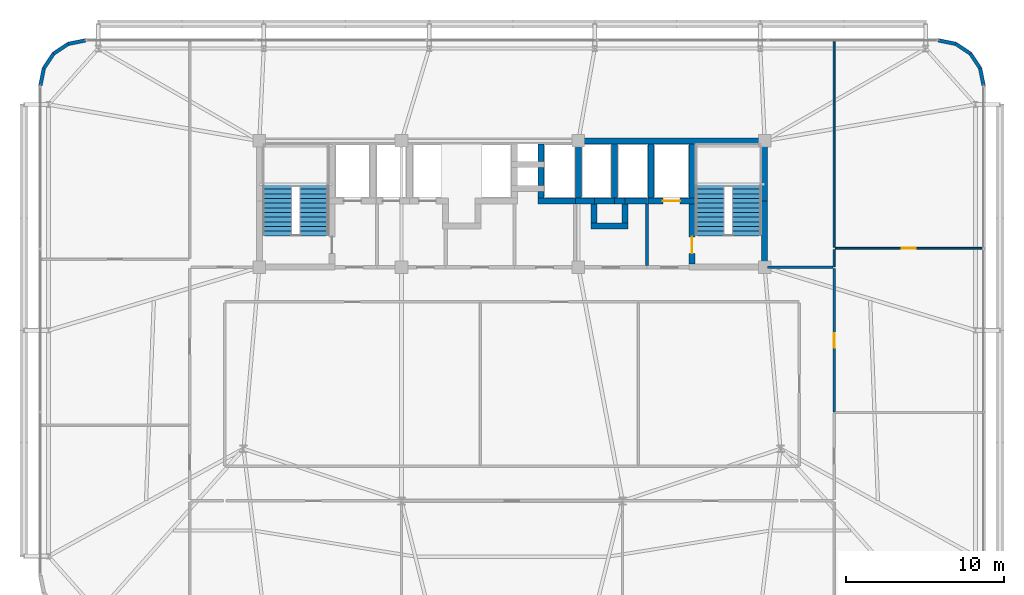
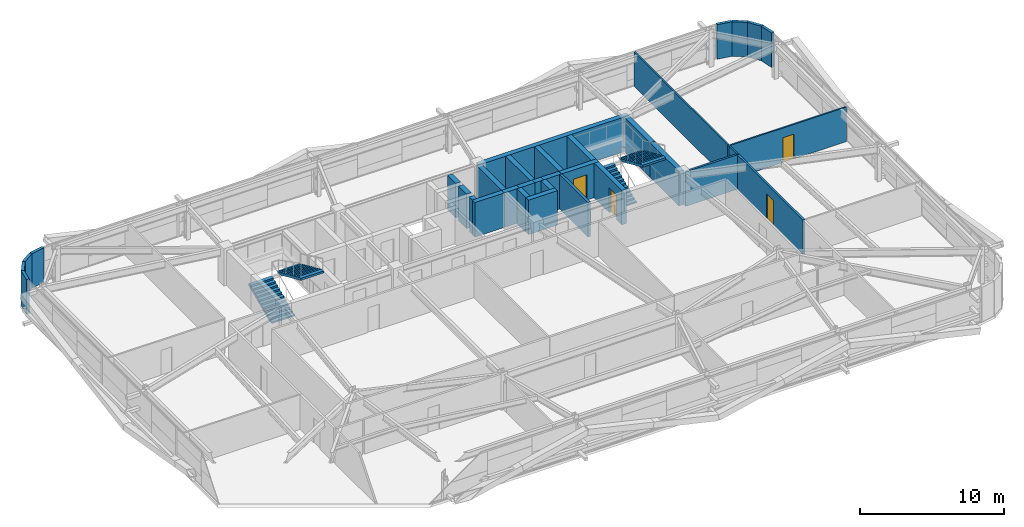
# One storey, part 41 of 44: 34 walls, 4 doors, 4 stair flights, 4 openings, 2 elements without a shape of their own.
"""IFC4 building model written with IfcOpenShell, lengths in metres."""

from ifc_helpers import new_model, si_unit, direction, frame, frame_2d, origin, place, context, subcontext, project, spatial, polyline, rectangle, outline, extrude, source, transform, mapped, material, layer, layer_set, type_object, element, fill, aggregate, save


model = new_model("IFC4")

# Units and contexts
model_context = context("Model", 3, precision=1e-05, world=origin(), true_north=direction((0.0, 1.0)))
body_context = subcontext(model_context, "Body", "Model", "MODEL_VIEW")
ifc_project = project(units=[si_unit("LENGTHUNIT", "METRE"), si_unit("AREAUNIT", "SQUARE_METRE"), si_unit("VOLUMEUNIT", "CUBIC_METRE"), si_unit("PLANEANGLEUNIT", "RADIAN"), si_unit("MASSUNIT", "GRAM", prefix="KILO")], contexts=[model_context])

# Site, building, storey
site_placement = place(None, origin())
site = spatial("IfcSite", under=ifc_project, at=site_placement, CompositionType="ELEMENT")
building_placement = place(site_placement, origin())
building = spatial("IfcBuilding", under=site, at=building_placement, Name="Taldren Reach Tower", CompositionType="ELEMENT")
storey_placement = place(building_placement, frame((0.0, 0.0, 38.85009765625)))
storey = spatial("IfcBuildingStorey", under=building, at=storey_placement, Name="L11", CompositionType="ELEMENT", Elevation=38.85009765625)

# Walls
ifc_material_1 = material(Name="Pale Champagne Anodised Aluminium Cladding", Category="aluminium")
ifc_layer_1 = layer(ifc_material_1, 0.04, Name="Pale Champagne Anodised Aluminium Cladding", Category="aluminium")
ifc_material_2 = material(Name="Mineral Wool Acoustic Insulation", Category="insulation")
ifc_layer_2 = layer(ifc_material_2, 0.06, Name="Mineral Wool Acoustic Insulation", Category="insulation")
ifc_material_3 = material(Name="Steel Gr 350 (C350L0)", Category="steel")
ifc_layer_3 = layer(ifc_material_3, 0.12, Name="Steel Gr 350 (C350L0)", Category="steel")
ifc_layer_set_1 = layer_set([ifc_layer_1, ifc_layer_2, ifc_layer_3], Name="Pale Champagne Aluminium Cladding and Steel Gr 350 Stud Framing")
wall_type_1 = type_object("IfcWallType", Name="EW-CRN-220", PredefinedType="SOLIDWALL", material=ifc_layer_set_1)
shared_shape_1 = source(origin(), body_context, "Body", "SweptSolid", [
    extrude(rectangle(XDim=1.115966796875, YDim=0.219970703125, at=frame_2d((0.55810546875, 0.0))), origin(), (0.0, 0.0, 1.0), 2.929931640625),
])
for number, where, z_axis, x_axis, name in (
    (1, (64.860107421875, 35.5, 0.0), (0.0, 0.0, 1.0), (-0.195148375659, 0.98077373103, 0.0), "Rounded-corner pale-metal facade wall L11-NE1"),
    (2, (64.642333984375, 36.594482421875, 0.0), (0.0, 0.0, 1.0), (-0.555709556774, 0.83137650226, 0.0), "Rounded-corner pale-metal facade wall L11-NE2"),
    (3, (64.022216796875, 37.522216796875, 0.0), (0.0, 0.0, 1.0), (-0.83137650226, 0.555709556774, 0.0), "Rounded-corner pale-metal facade wall L11-NE3"),
    (4, (63.094482421875, 38.142333984375, 0.0), (0.0, 0.0, 1.0), (-0.98077373103, 0.195148375659, 0.0), "Rounded-corner pale-metal facade wall L11-NE4"),
    (5, (8.0, 38.360107421875, 0.0), (0.0, 0.0, 1.0), (-0.98077373103, -0.195148375659, 0.0), "Rounded-corner pale-metal facade wall L11-NW1"),
    (6, (6.905517578125, 38.142333984375, 0.0), (0.0, 0.0, 1.0), (-0.83137650226, -0.555709556774, 0.0), "Rounded-corner pale-metal facade wall L11-NW2"),
    (7, (5.977783203125, 37.522216796875, 0.0), (0.0, 0.0, 1.0), (-0.555709556774, -0.83137650226, 0.0), "Rounded-corner pale-metal facade wall L11-NW3"),
    (8, (5.357666015625, 36.594482421875, 0.0), (0.0, 0.0, 1.0), (-0.195148375659, -0.98077373103, 0.0), "Rounded-corner pale-metal facade wall L11-NW4"),
):
    element("IfcWall", number, at=place(storey_placement, frame(where, z_axis=z_axis, x_axis=x_axis)), inside=storey, type_object=wall_type_1, Name=name, PredefinedType="SOLIDWALL", context=body_context, shape_type="MappedRepresentation", body=[
        mapped(shared_shape_1, transform((0.0, 0.0, 0.0), scale=1.0)),
    ])
ifc_material_4 = material(Name="Concrete S80 (80 MPa)", Category="concrete")
ifc_layer_4 = layer(ifc_material_4, 0.3798828125)
ifc_layer_set_2 = layer_set([ifc_layer_4], Name="Concrete S80 (80 MPa)")
wall_type_2 = type_object("IfcWallType", Name="IW-CORE-380", PredefinedType="SHEAR", material=ifc_layer_set_2)
shared_shape_2 = source(origin(), body_context, "Body", "SweptSolid", [
    extrude(rectangle(XDim=11.989990234375, YDim=0.3798828125, at=frame_2d((5.9951171875, 0.0))), origin(), (0.0, 0.0, 1.0), 2.929931640625),
])
wall_1_placement = place(storey_placement, frame((39.199951171875, 32.0, 0.0), z_axis=(0.0, 0.0, 1.0), x_axis=(1.0, 0.0, 0.0)))
element("IfcWall", 9, at=wall_1_placement, inside=storey, type_object=wall_type_2, Name="Rear Core Shear Wall W-CORE-L11-NORTH3", PredefinedType="SHEAR", context=body_context, shape_type="MappedRepresentation", body=[
    mapped(shared_shape_2, transform((0.0, 0.0, 0.0), scale=1.0)),
])
shared_shape_3 = source(origin(), body_context, "Body", "SweptSolid", [
    extrude(rectangle(XDim=4.010009765625, YDim=0.3798828125, at=frame_2d((2.0048828125, 0.0))), origin(), (0.0, 0.0, 1.0), 2.929931640625),
])
wall_2_placement = place(storey_placement, frame((51.0, 24.18994140625, 0.0), z_axis=(0.0, 0.0, 1.0), x_axis=(0.0, 1.0, 0.0)))
element("IfcWall", 10, at=wall_2_placement, inside=storey, type_object=wall_type_2, Name="Rear Core Shear Wall W-CORE-L11-EAST1", PredefinedType="SHEAR", context=body_context, shape_type="MappedRepresentation", body=[
    mapped(shared_shape_3, transform((0.0, 0.0, 0.0), scale=1.0)),
])
shared_shape_4 = source(origin(), body_context, "Body", "SweptSolid", [
    extrude(rectangle(XDim=3.610107421875, YDim=0.3798828125, at=frame_2d((1.80517578125, 0.0))), origin(), (0.0, 0.0, 1.0), 2.929931640625),
])
wall_3_placement = place(storey_placement, frame((51.0, 28.199951171875, 0.0), z_axis=(0.0, 0.0, 1.0), x_axis=(0.0, 1.0, 0.0)))
element("IfcWall", 11, at=wall_3_placement, inside=storey, type_object=wall_type_2, Name="Rear Core Shear Wall W-CORE-L11-EAST2", PredefinedType="SHEAR", context=body_context, shape_type="MappedRepresentation", body=[
    mapped(shared_shape_4, transform((0.0, 0.0, 0.0), scale=1.0)),
])
shared_shape_5 = source(origin(), body_context, "Body", "SweptSolid", [
    extrude(rectangle(XDim=3.420166015625, YDim=0.3798828125, at=frame_2d((1.7099609375, 0.0))), origin(), (0.0, 0.0, 1.0), 2.929931640625),
])
for number, where, z_axis, x_axis, name in (
    (12, (46.39990234375, 31.81005859375, 0.0), (0.0, 0.0, 1.0), (0.0, -1.0, 0.0), "Rear Core Shear Wall W-INT-L11-008"),
    (13, (43.800048828125, 31.81005859375, 0.0), (0.0, 0.0, 1.0), (0.0, -1.0, 0.0), "Rear Core Shear Wall W-INT-L11-012"),
    (14, (39.199951171875, 28.389892578125, 0.0), (0.0, 0.0, 1.0), (0.0, 1.0, 0.0), "Rear Core Shear Wall W-INT-L11-036"),
    (15, (41.5, 28.389892578125, 0.0), (0.0, 0.0, 1.0), (0.0, 1.0, 0.0), "Rear Core Shear Wall W-INT-L11-039"),
):
    element("IfcWall", number, at=place(storey_placement, frame(where, z_axis=z_axis, x_axis=x_axis)), inside=storey, type_object=wall_type_2, Name=name, PredefinedType="SHEAR", context=body_context, shape_type="MappedRepresentation", body=[
        mapped(shared_shape_5, transform((0.0, 0.0, 0.0), scale=1.0)),
    ])

# Wall, opening, door
shared_shape_6 = source(origin(), body_context, "Body", "SweptSolid", [
    extrude(rectangle(XDim=3.820068359375, YDim=0.3798828125, at=frame_2d((1.91015625, 0.0))), origin(), (0.0, 0.0, 1.0), 2.929931640625),
])
wall_4_placement = place(storey_placement, frame((46.39990234375, 28.010009765625, 0.0), z_axis=(0.0, 0.0, 1.0), x_axis=(0.0, -1.0, 0.0)))
wall_4 = element("IfcWall", 16, at=wall_4_placement, inside=storey, type_object=wall_type_2, Name="Rear Core Shear Wall W-INT-L11-009", PredefinedType="SHEAR", context=body_context, shape_type="MappedRepresentation", body=[
    mapped(shared_shape_6, transform((0.0, 0.0, 0.0), scale=1.0)),
])
shared_shape_7 = source(origin(), body_context, "Body", "SweptSolid", [
    extrude(rectangle(XDim=1.050048828125, YDim=2.10009765625, at=frame_2d((0.52490234375, 1.050048828125))), frame((0.0, 0.199951171875, 0.0), z_axis=(0.0, -1.0, 0.0), x_axis=(1.0, 0.0, 0.0)), (0.0, 0.0, 1.0), 0.39990234375),
])
opening_1_placement = place(wall_4_placement, frame((2.0849609375, 0.0, 0.0)))
opening_1 = element("IfcOpeningElement", 17, at=opening_1_placement, cuts=wall_4, Name="Opening DF-105", PredefinedType="OPENING", context=body_context, shape_type="MappedRepresentation", body=[
    mapped(shared_shape_7, transform((0.0, 0.0, 0.0), scale=1.0)),
])
ifc_material_5 = material(Name="Fire-Rated Care and Stair Exit Door")
door_type_1 = type_object("IfcDoorType", Name="ID-FIRE-105", OperationType="NOTDEFINED", PredefinedType="DOOR", material=ifc_material_5)
shared_shape_8 = source(origin(), body_context, "Body", "SweptSolid", [
    extrude(rectangle(XDim=1.050048828125, YDim=2.10009765625, at=frame_2d((0.52490234375, 1.050048828125))), frame((0.0, 0.02490234375, 0.0), z_axis=(0.0, -1.0, 0.0), x_axis=(1.0, 0.0, 0.0)), (0.0, 0.0, 1.0), 0.050048828125),
])
door_1_placement = place(opening_1_placement, origin())
door_1 = element("IfcDoor", 18, at=door_1_placement, inside=storey, type_object=door_type_1, Name="Fire Exit Stair Door DR-L11-003", OperationType="SINGLE_SWING_RIGHT", OverallHeight=2.10009765625, OverallWidth=1.050048828125, PredefinedType="DOOR", context=body_context, shape_type="MappedRepresentation", body=[
    mapped(shared_shape_8, transform((0.0, 0.0, 0.0), scale=1.0)),
])
fill(opening_1, door_1)

shared_shape_9 = source(origin(), body_context, "Body", "SweptSolid", [
    extrude(rectangle(XDim=2.97998046875, YDim=0.3798828125, at=frame_2d((1.489990234375, 0.0))), origin(), (0.0, 0.0, 1.0), 2.929931640625),
])
wall_5_placement = place(storey_placement, frame((43.610107421875, 28.199951171875, 0.0), z_axis=(0.0, 0.0, 1.0), x_axis=(1.0, 0.0, 0.0)))
wall_5 = element("IfcWall", 19, at=wall_5_placement, inside=storey, type_object=wall_type_2, Name="Rear Core Shear Wall W-INT-L11-011", PredefinedType="SHEAR", context=body_context, shape_type="MappedRepresentation", body=[
    mapped(shared_shape_9, transform((0.0, 0.0, 0.0), scale=1.0)),
])
shared_shape_10 = source(origin(), body_context, "Body", "SweptSolid", [
    extrude(rectangle(XDim=1.10009765625, YDim=2.14990234375, at=frame_2d((0.550048828125, 1.074951171875))), frame((0.0, 0.199951171875, 0.0), z_axis=(0.0, -1.0, 0.0), x_axis=(1.0, 0.0, 0.0)), (0.0, 0.0, 1.0), 0.39990234375),
])
opening_2_placement = place(wall_5_placement, frame((0.93994140625, 0.0, 0.0)))
opening_2 = element("IfcOpeningElement", 20, at=opening_2_placement, cuts=wall_5, Name="Opening LD-FL2", PredefinedType="OPENING", context=body_context, shape_type="MappedRepresentation", body=[
    mapped(shared_shape_10, transform((0.0, 0.0, 0.0), scale=1.0)),
])
ifc_material_6 = material(Name="Stainless Steel Gr 316 Emergency Lift Landing Door", Category="steel")
door_type_2 = type_object("IfcDoorType", Name="LD-EMG-110", OperationType="SLIDING_TO_LEFT", PredefinedType="DOOR", material=ifc_material_6)
shared_shape_11 = source(origin(), body_context, "Body", "SweptSolid", [
    extrude(rectangle(XDim=1.10009765625, YDim=2.14990234375, at=frame_2d((0.550048828125, 1.074951171875))), frame((0.0, 0.02490234375, 0.0), z_axis=(0.0, -1.0, 0.0), x_axis=(1.0, 0.0, 0.0)), (0.0, 0.0, 1.0), 0.050048828125),
])
door_2_placement = place(opening_2_placement, origin())
door_2 = element("IfcDoor", 21, at=door_2_placement, inside=storey, type_object=door_type_2, Name="Lift Landing Door LD-FL2-L11", OperationType="SLIDING_TO_LEFT", OverallHeight=2.14990234375, OverallWidth=1.10009765625, PredefinedType="DOOR", context=body_context, shape_type="MappedRepresentation", body=[
    mapped(shared_shape_11, transform((0.0, 0.0, 0.0), scale=1.0)),
])
fill(opening_2, door_2)

# Walls
ifc_material_7 = material(Name="Concrete S50 (50 MPa)", Category="concrete")
ifc_layer_5 = layer(ifc_material_7, 0.199951171875)
ifc_layer_set_3 = layer_set([ifc_layer_5], Name="Concrete S50 (50 MPa)")
wall_type_3 = type_object("IfcWallType", Name="IW-CORE-200", PredefinedType="SOLIDWALL", material=ifc_layer_set_3)
shared_shape_12 = source(origin(), body_context, "Body", "SweptSolid", [
    extrude(rectangle(XDim=3.909912109375, YDim=0.199951171875, at=frame_2d((1.955078125, 0.0))), origin(), (0.0, 0.0, 1.0), 2.929931640625),
])
wall_6_placement = place(storey_placement, frame((43.550048828125, 28.010009765625, 0.0), z_axis=(0.0, 0.0, 1.0), x_axis=(0.0, -1.0, 0.0)))
element("IfcWall", 22, at=wall_6_placement, inside=storey, type_object=wall_type_3, Name="Rear Core Shear Wall W-INT-L11-013", PredefinedType="SOLIDWALL", context=body_context, shape_type="MappedRepresentation", body=[
    mapped(shared_shape_12, transform((0.0, 0.0, 0.0), scale=1.0)),
])
shared_shape_13 = source(origin(), body_context, "Body", "SweptSolid", [
    extrude(rectangle(XDim=1.1201171875, YDim=0.3798828125, at=frame_2d((0.56005859375, 0.0))), origin(), (0.0, 0.0, 1.0), 2.929931640625),
])
for number, where, z_axis, x_axis, name in (
    (23, (36.85009765625, 30.68994140625, 0.0), (0.0, 0.0, 1.0), (0.0, 1.0, 0.0), "Rear Core Shear Wall W-INT-L11-017"),
    (24, (36.85009765625, 29.18994140625, 0.0), (0.0, 0.0, 1.0), (0.0, 1.0, 0.0), "Rear Core Shear Wall W-INT-L11-019"),
):
    element("IfcWall", number, at=place(storey_placement, frame(where, z_axis=z_axis, x_axis=x_axis)), inside=storey, type_object=wall_type_2, Name=name, PredefinedType="SHEAR", context=body_context, shape_type="MappedRepresentation", body=[
        mapped(shared_shape_13, transform((0.0, 0.0, 0.0), scale=1.0)),
    ])
shared_shape_14 = source(origin(), body_context, "Body", "SweptSolid", [
    extrude(rectangle(XDim=1.219970703125, YDim=0.3798828125, at=frame_2d((0.60986328125, 0.0))), origin(), (0.0, 0.0, 1.0), 2.929931640625),
])
for number, where, z_axis, x_axis, name in (
    (25, (40.199951171875, 28.010009765625, 0.0), (0.0, 0.0, 1.0), (0.0, -1.0, 0.0), "Rear Core Shear Wall W-INT-L11-027"),
    (26, (42.14990234375, 26.7900390625, 0.0), (0.0, 0.0, 1.0), (0.0, 1.0, 0.0), "Rear Core Shear Wall W-INT-L11-028"),
):
    element("IfcWall", number, at=place(storey_placement, frame(where, z_axis=z_axis, x_axis=x_axis)), inside=storey, type_object=wall_type_2, Name=name, PredefinedType="SHEAR", context=body_context, shape_type="MappedRepresentation", body=[
        mapped(shared_shape_14, transform((0.0, 0.0, 0.0), scale=1.0)),
    ])
shared_shape_15 = source(origin(), body_context, "Body", "SweptSolid", [
    extrude(rectangle(XDim=1.320068359375, YDim=0.3798828125, at=frame_2d((0.66015625, 0.0))), origin(), (0.0, 0.0, 1.0), 2.929931640625),
])
wall_7_placement = place(storey_placement, frame((41.52001953125, 28.199951171875, 0.0), z_axis=(0.0, 0.0, 1.0), x_axis=(-1.0, 0.0, 0.0)))
element("IfcWall", 27, at=wall_7_placement, inside=storey, type_object=wall_type_2, Name="Rear Core Shear Wall W-INT-L11-024", PredefinedType="SHEAR", context=body_context, shape_type="MappedRepresentation", body=[
    mapped(shared_shape_15, transform((0.0, 0.0, 0.0), scale=1.0)),
])
shared_shape_16 = source(origin(), body_context, "Body", "SweptSolid", [
    extrude(rectangle(XDim=0.669921875, YDim=0.3798828125, at=frame_2d((0.3349609375, 0.0))), origin(), (0.0, 0.0, 1.0), 2.929931640625),
])
wall_8_placement = place(storey_placement, frame((42.14990234375, 28.199951171875, 0.0), z_axis=(0.0, 0.0, 1.0), x_axis=(-1.0, 0.0, 0.0)))
element("IfcWall", 28, at=wall_8_placement, inside=storey, type_object=wall_type_2, Name="Rear Core Shear Wall W-INT-L11-025", PredefinedType="SHEAR", context=body_context, shape_type="MappedRepresentation", body=[
    mapped(shared_shape_16, transform((0.0, 0.0, 0.0), scale=1.0)),
])
shared_shape_17 = source(origin(), body_context, "Body", "SweptSolid", [
    extrude(rectangle(XDim=2.330078125, YDim=0.3798828125, at=frame_2d((1.1650390625, 0.0))), origin(), (0.0, 0.0, 1.0), 2.929931640625),
])
wall_9_placement = place(storey_placement, frame((40.010009765625, 26.60009765625, 0.0), z_axis=(0.0, 0.0, 1.0), x_axis=(1.0, 0.0, 0.0)))
element("IfcWall", 29, at=wall_9_placement, inside=storey, type_object=wall_type_2, Name="Rear Core Shear Wall W-INT-L11-026", PredefinedType="SHEAR", context=body_context, shape_type="MappedRepresentation", body=[
    mapped(shared_shape_17, transform((0.0, 0.0, 0.0), scale=1.0)),
])
shared_shape_18 = source(origin(), body_context, "Body", "SweptSolid", [
    extrude(rectangle(XDim=0.420166015625, YDim=0.3798828125, at=frame_2d((0.2099609375, 0.0))), origin(), (0.0, 0.0, 1.0), 2.929931640625),
])
wall_10_placement = place(storey_placement, frame((36.85009765625, 28.81005859375, 0.0), z_axis=(0.0, 0.0, 1.0), x_axis=(0.0, -1.0, 0.0)))
element("IfcWall", 30, at=wall_10_placement, inside=storey, type_object=wall_type_2, Name="Rear Core Shear Wall W-INT-L11-038", PredefinedType="SHEAR", context=body_context, shape_type="MappedRepresentation", body=[
    mapped(shared_shape_18, transform((0.0, 0.0, 0.0), scale=1.0)),
])
shared_shape_19 = source(origin(), body_context, "Body", "SweptSolid", [
    extrude(rectangle(XDim=1.440185546875, YDim=0.3798828125, at=frame_2d((0.72021484375, 0.0))), origin(), (0.0, 0.0, 1.0), 2.929931640625),
])
wall_11_placement = place(storey_placement, frame((42.1298828125, 28.199951171875, 0.0), z_axis=(0.0, 0.0, 1.0), x_axis=(1.0, 0.0, 0.0)))
element("IfcWall", 31, at=wall_11_placement, inside=storey, type_object=wall_type_2, Name="Rear Core Shear Wall W-INT-L11-041", PredefinedType="SHEAR", context=body_context, shape_type="MappedRepresentation", body=[
    mapped(shared_shape_19, transform((0.0, 0.0, 0.0), scale=1.0)),
])
ifc_material_8 = material(Name="Fire-Rated Acoustic Plasterboard Stud Wall", Category="gypsum")
ifc_layer_6 = layer(ifc_material_8, 0.159912109375)
ifc_layer_set_4 = layer_set([ifc_layer_6], Name="Fire-Rated Acoustic Plasterboard Stud Wall")
wall_type_4 = type_object("IfcWallType", Name="IW-FIRE-160", PredefinedType="PARTITIONING", material=ifc_layer_set_4)
shared_shape_20 = source(origin(), body_context, "Body", "SweptSolid", [
    extrude(rectangle(XDim=4.130126953125, YDim=0.159912109375, at=frame_2d((2.06494140625, 0.0))), origin(), (0.0, 0.0, 1.0), 2.929931640625),
])
wall_12_placement = place(storey_placement, frame((51.18994140625, 24.0, 0.0), z_axis=(0.0, 0.0, 1.0), x_axis=(1.0, 0.0, 0.0)))
element("IfcWall", 32, at=wall_12_placement, inside=storey, type_object=wall_type_4, Name="Interior Partition Wall W-INT-L11-059", PredefinedType="PARTITIONING", context=body_context, shape_type="MappedRepresentation", body=[
    mapped(shared_shape_20, transform((0.0, 0.0, 0.0), scale=1.0)),
])
shared_shape_21 = source(origin(), body_context, "Body", "SweptSolid", [
    extrude(rectangle(XDim=2.360107421875, YDim=0.3798828125, at=frame_2d((1.18017578125, 0.0))), origin(), (0.0, 0.0, 1.0), 2.929931640625),
])
wall_13_placement = place(storey_placement, frame((36.659912109375, 28.199951171875, 0.0), z_axis=(0.0, 0.0, 1.0), x_axis=(1.0, 0.0, 0.0)))
element("IfcWall", 33, at=wall_13_placement, inside=storey, type_object=wall_type_2, Name="Rear Core Shear Wall W-INT-L11-037", PredefinedType="SHEAR", context=body_context, shape_type="MappedRepresentation", body=[
    mapped(shared_shape_21, transform((0.0, 0.0, 0.0), scale=1.0)),
])
shared_shape_22 = source(origin(), body_context, "Body", "SweptSolid", [
    extrude(rectangle(XDim=1.2099609375, YDim=0.3798828125, at=frame_2d((0.60498046875, 0.0))), origin(), (0.0, 0.0, 1.0), 2.929931640625),
])
wall_14_placement = place(storey_placement, frame((39.010009765625, 28.199951171875, 0.0), z_axis=(0.0, 0.0, 1.0), x_axis=(1.0, 0.0, 0.0)))
element("IfcWall", 34, at=wall_14_placement, inside=storey, type_object=wall_type_2, Name="Rear Core Shear Wall W-INT-L11-040", PredefinedType="SHEAR", context=body_context, shape_type="MappedRepresentation", body=[
    mapped(shared_shape_22, transform((0.0, 0.0, 0.0), scale=1.0)),
])

# Wall, opening, door
ifc_material_9 = material(Name="Insulated Residential Stud Partition", Category="gypsum")
ifc_layer_7 = layer(ifc_material_9, 0.1201171875)
ifc_layer_set_5 = layer_set([ifc_layer_7], Name="Insulated Residential Stud Partition")
wall_type_5 = type_object("IfcWallType", Name="IW-PART-120", PredefinedType="PARTITIONING", material=ifc_layer_set_5)
shared_shape_23 = source(origin(), body_context, "Body", "SweptSolid", [
    extrude(rectangle(XDim=9.2900390625, YDim=0.1201171875, at=frame_2d((4.64501953125, 0.0))), origin(), (0.0, 0.0, 1.0), 2.929931640625),
])
wall_15_placement = place(storey_placement, frame((55.47998046875, 25.199951171875, 0.0), z_axis=(0.0, 0.0, 1.0), x_axis=(1.0, 0.0, 0.0)))
wall_15 = element("IfcWall", 35, at=wall_15_placement, inside=storey, type_object=wall_type_5, Name="Interior Partition Wall W-INT-L11-076", PredefinedType="PARTITIONING", context=body_context, shape_type="MappedRepresentation", body=[
    mapped(shared_shape_23, transform((0.0, 0.0, 0.0), scale=1.0)),
])
shared_shape_24 = source(origin(), body_context, "Body", "SweptSolid", [
    extrude(rectangle(XDim=0.860107421875, YDim=2.10009765625, at=frame_2d((0.43017578125, 1.050048828125))), frame((0.0, 0.070068359375, 0.0), z_axis=(0.0, -1.0, 0.0), x_axis=(1.0, 0.0, 0.0)), (0.0, 0.0, 1.0), 0.14013671875),
])
opening_3_placement = place(wall_15_placement, frame((4.215087890625, 0.0, 0.0)))
opening_3 = element("IfcOpeningElement", 36, at=opening_3_placement, cuts=wall_15, Name="Opening DI-086", PredefinedType="OPENING", context=body_context, shape_type="MappedRepresentation", body=[
    mapped(shared_shape_24, transform((0.0, 0.0, 0.0), scale=1.0)),
])
ifc_material_10 = material(Name="Timber Bathroom Door", Category="wood")
door_type_3 = type_object("IfcDoorType", Name="ID-INT-086", OperationType="NOTDEFINED", PredefinedType="DOOR", material=ifc_material_10)
shared_shape_25 = source(origin(), body_context, "Body", "SweptSolid", [
    extrude(rectangle(XDim=0.860107421875, YDim=2.10009765625, at=frame_2d((0.43017578125, 1.050048828125))), frame((0.0, 0.02490234375, 0.0), z_axis=(0.0, -1.0, 0.0), x_axis=(1.0, 0.0, 0.0)), (0.0, 0.0, 1.0), 0.050048828125),
])
door_3_placement = place(opening_3_placement, frame((0.860107421875, 0.0, 0.0), z_axis=(0.0, 0.0, 1.0), x_axis=(-1.0, 0.0, 0.0)))
door_3 = element("IfcDoor", 37, at=door_3_placement, inside=storey, type_object=door_type_3, Name="Interior Door DR-L11-021", OperationType="SINGLE_SWING_LEFT", OverallHeight=2.10009765625, OverallWidth=0.860107421875, PredefinedType="DOOR", context=body_context, shape_type="MappedRepresentation", body=[
    mapped(shared_shape_25, transform((0.0, 0.0, 0.0), scale=1.0)),
])
fill(opening_3, door_3)

shared_shape_26 = source(origin(), body_context, "Body", "SweptSolid", [
    extrude(rectangle(XDim=9.099609375, YDim=0.159912109375, at=frame_2d((4.5498046875, 0.0))), origin(), (0.0, 0.0, 1.0), 2.929931640625),
])
wall_16_placement = place(storey_placement, frame((55.39990234375, 23.919921875, 0.0), z_axis=(0.0, 0.0, 1.0), x_axis=(0.0, -1.0, 0.0)))
wall_16 = element("IfcWall", 38, at=wall_16_placement, inside=storey, type_object=wall_type_4, Name="Interior Partition Wall W-INT-L11-057", PredefinedType="PARTITIONING", context=body_context, shape_type="MappedRepresentation", body=[
    mapped(shared_shape_26, transform((0.0, 0.0, 0.0), scale=1.0)),
])
shared_shape_27 = source(origin(), body_context, "Body", "SweptSolid", [
    extrude(rectangle(XDim=0.919921875, YDim=2.10009765625, at=frame_2d((0.4599609375, 1.050048828125))), frame((0.0, 0.08984375, 0.0), z_axis=(0.0, -1.0, 0.0), x_axis=(1.0, 0.0, 0.0)), (0.0, 0.0, 1.0), 0.179931640625),
])
opening_4_placement = place(wall_16_placement, frame((4.08984375, 0.0, 0.0)))
opening_4 = element("IfcOpeningElement", 39, at=opening_4_placement, cuts=wall_16, Name="Opening DI-092", PredefinedType="OPENING", context=body_context, shape_type="MappedRepresentation", body=[
    mapped(shared_shape_27, transform((0.0, 0.0, 0.0), scale=1.0)),
])
ifc_material_11 = material(Name="Solid-Core Timber Suite Door", Category="wood")
door_type_4 = type_object("IfcDoorType", Name="ID-INT-092", OperationType="NOTDEFINED", PredefinedType="DOOR", material=ifc_material_11)
shared_shape_28 = source(origin(), body_context, "Body", "SweptSolid", [
    extrude(rectangle(XDim=0.919921875, YDim=2.10009765625, at=frame_2d((0.4599609375, 1.050048828125))), frame((0.0, 0.02490234375, 0.0), z_axis=(0.0, -1.0, 0.0), x_axis=(1.0, 0.0, 0.0)), (0.0, 0.0, 1.0), 0.050048828125),
])
door_4_placement = place(opening_4_placement, origin())
door_4 = element("IfcDoor", 40, at=door_4_placement, inside=storey, type_object=door_type_4, Name="Interior Door DR-L11-015", OperationType="SINGLE_SWING_RIGHT", OverallHeight=2.10009765625, OverallWidth=0.919921875, PredefinedType="DOOR", context=body_context, shape_type="MappedRepresentation", body=[
    mapped(shared_shape_28, transform((0.0, 0.0, 0.0), scale=1.0)),
])
fill(opening_4, door_4)

# Walls
shared_shape_29 = source(origin(), body_context, "Body", "SweptSolid", [
    extrude(rectangle(XDim=1.099853515625, YDim=0.1201171875, at=frame_2d((0.5498046875, 0.0))), origin(), (0.0, 0.0, 1.0), 2.929931640625),
])
wall_17_placement = place(storey_placement, frame((55.39990234375, 24.020263671875, 0.0), z_axis=(0.0, 0.0, 1.0), x_axis=(0.0, 1.0, 0.0)))
element("IfcWall", 41, at=wall_17_placement, inside=storey, type_object=wall_type_5, Name="Interior Partition Wall W-INT-L11-077", PredefinedType="PARTITIONING", context=body_context, shape_type="MappedRepresentation", body=[
    mapped(shared_shape_29, transform((0.0, 0.0, 0.0), scale=1.0)),
])
shared_shape_30 = source(origin(), body_context, "Body", "SweptSolid", [
    extrude(rectangle(XDim=12.989990234375, YDim=0.1201171875, at=frame_2d((6.4951171875, 0.0))), origin(), (0.0, 0.0, 1.0), 2.929931640625),
])
wall_18_placement = place(storey_placement, frame((55.39990234375, 25.280029296875, 0.0), z_axis=(0.0, 0.0, 1.0), x_axis=(0.0, 1.0, 0.0)))
element("IfcWall", 42, at=wall_18_placement, inside=storey, type_object=wall_type_5, Name="Interior Partition Wall W-INT-L11-078", PredefinedType="PARTITIONING", context=body_context, shape_type="MappedRepresentation", body=[
    mapped(shared_shape_30, transform((0.0, 0.0, 0.0), scale=1.0)),
])

# Stair, stair flights
stair_type = type_object("IfcStairType", Name="ST-HT-315", PredefinedType="HALF_TURN_STAIR", material=ifc_material_7)
stair_1_placement = place(storey_placement, origin())
stair_1 = element("IfcStair", 43, at=stair_1_placement, inside=storey, type_object=stair_type, Name="Fire-isolated exit stair ST1 L11", PredefinedType="HALF_TURN_STAIR")
stair_flight_type = type_object("IfcStairFlightType", Name="SF-STR-315", PredefinedType="STRAIGHT", material=ifc_material_7)
stair_flight_1_placement = place(storey_placement, frame((20.139892578125, 25.989990234375, 0.0), z_axis=(0.0, 0.0, 1.0), x_axis=(0.0, 1.0, 0.0)))
stair_flight_1 = element("IfcStairFlight", 44, at=stair_flight_1_placement, type_object=stair_flight_type, Name="ST1 flight 1", NumberOfRisers=12, NumberOfTreads=11, PredefinedType="STRAIGHT", RiserHeight=0.13125, TreadLength=0.295, context=body_context, shape_type="SweptSolid", body=[
    extrude(outline(polyline([(0.0, 0.0), (0.0, 0.13134765625), (0.294921875, 0.13134765625), (0.294921875, 0.262451171875), (0.590087890625, 0.262451171875), (0.590087890625, 0.393798828125), (0.885009765625, 0.393798828125), (0.885009765625, 0.52490234375), (1.179931640625, 0.52490234375), (1.179931640625, 0.65625), (1.47509765625, 0.65625), (1.47509765625, 0.78759765625), (1.77001953125, 0.78759765625), (1.77001953125, 0.918701171875), (2.06494140625, 0.918701171875), (2.06494140625, 1.050048828125), (2.360107421875, 1.050048828125), (2.360107421875, 1.18115234375), (2.655029296875, 1.18115234375), (2.655029296875, 1.3125), (2.949951171875, 1.3125), (2.949951171875, 1.44384765625), (3.2451171875, 1.44384765625), (3.2451171875, 1.574951171875), (3.2451171875, 1.268798828125), (0.393310546875, 0.0), (0.0, 0.0)])), frame((0.0, 0.919921875, 0.0), z_axis=(0.0, -1.0, 0.0), x_axis=(1.0, 0.0, 0.0)), (0.0, 0.0, 1.0), 1.840087890625),
])
stair_flight_2_placement = place(storey_placement, frame((22.4599609375, 29.235107421875, 1.574951171875), z_axis=(0.0, 0.0, 1.0), x_axis=(0.0, -1.0, 0.0)))
stair_flight_2 = element("IfcStairFlight", 45, at=stair_flight_2_placement, type_object=stair_flight_type, Name="ST1 flight 2", NumberOfRisers=12, NumberOfTreads=11, PredefinedType="STRAIGHT", RiserHeight=0.13125, TreadLength=0.295, context=body_context, shape_type="SweptSolid", body=[
    extrude(outline(polyline([(0.0, 0.0), (0.0, 0.13134765625), (0.294921875, 0.13134765625), (0.294921875, 0.262451171875), (0.590087890625, 0.262451171875), (0.590087890625, 0.393798828125), (0.885009765625, 0.393798828125), (0.885009765625, 0.52490234375), (1.179931640625, 0.52490234375), (1.179931640625, 0.65625), (1.47509765625, 0.65625), (1.47509765625, 0.78759765625), (1.77001953125, 0.78759765625), (1.77001953125, 0.918701171875), (2.06494140625, 0.918701171875), (2.06494140625, 1.050048828125), (2.360107421875, 1.050048828125), (2.360107421875, 1.18115234375), (2.655029296875, 1.18115234375), (2.655029296875, 1.3125), (2.949951171875, 1.3125), (2.949951171875, 1.44384765625), (3.2451171875, 1.44384765625), (3.2451171875, 1.574951171875), (3.2451171875, 1.268798828125), (0.393310546875, 0.0), (0.0, 0.0)])), frame((0.0, 0.919921875, 0.0), z_axis=(0.0, -1.0, 0.0), x_axis=(1.0, 0.0, 0.0)), (0.0, 0.0, 1.0), 1.840087890625),
])
aggregate(stair_1, [stair_flight_1, stair_flight_2])

stair_2_placement = place(storey_placement, origin())
stair_2 = element("IfcStair", 46, at=stair_2_placement, inside=storey, type_object=stair_type, Name="Fire-isolated exit stair ST2 L11", PredefinedType="HALF_TURN_STAIR")
stair_flight_3_placement = place(storey_placement, frame((47.5400390625, 25.989990234375, 0.0), z_axis=(0.0, 0.0, 1.0), x_axis=(0.0, 1.0, 0.0)))
stair_flight_3 = element("IfcStairFlight", 47, at=stair_flight_3_placement, type_object=stair_flight_type, Name="ST2 flight 1", NumberOfRisers=12, NumberOfTreads=11, PredefinedType="STRAIGHT", RiserHeight=0.13125, TreadLength=0.295, context=body_context, shape_type="SweptSolid", body=[
    extrude(outline(polyline([(0.0, 0.0), (0.0, 0.13134765625), (0.294921875, 0.13134765625), (0.294921875, 0.262451171875), (0.590087890625, 0.262451171875), (0.590087890625, 0.393798828125), (0.885009765625, 0.393798828125), (0.885009765625, 0.52490234375), (1.179931640625, 0.52490234375), (1.179931640625, 0.65625), (1.47509765625, 0.65625), (1.47509765625, 0.78759765625), (1.77001953125, 0.78759765625), (1.77001953125, 0.918701171875), (2.06494140625, 0.918701171875), (2.06494140625, 1.050048828125), (2.360107421875, 1.050048828125), (2.360107421875, 1.18115234375), (2.655029296875, 1.18115234375), (2.655029296875, 1.3125), (2.949951171875, 1.3125), (2.949951171875, 1.44384765625), (3.2451171875, 1.44384765625), (3.2451171875, 1.574951171875), (3.2451171875, 1.268798828125), (0.393310546875, 0.0), (0.0, 0.0)])), frame((0.0, 0.919921875, 0.0), z_axis=(0.0, -1.0, 0.0), x_axis=(1.0, 0.0, 0.0)), (0.0, 0.0, 1.0), 1.840087890625),
])
stair_flight_4_placement = place(storey_placement, frame((49.860107421875, 29.235107421875, 1.574951171875), z_axis=(0.0, 0.0, 1.0), x_axis=(0.0, -1.0, 0.0)))
stair_flight_4 = element("IfcStairFlight", 48, at=stair_flight_4_placement, type_object=stair_flight_type, Name="ST2 flight 2", NumberOfRisers=12, NumberOfTreads=11, PredefinedType="STRAIGHT", RiserHeight=0.13125, TreadLength=0.295, context=body_context, shape_type="SweptSolid", body=[
    extrude(outline(polyline([(0.0, 0.0), (0.0, 0.13134765625), (0.294921875, 0.13134765625), (0.294921875, 0.262451171875), (0.590087890625, 0.262451171875), (0.590087890625, 0.393798828125), (0.885009765625, 0.393798828125), (0.885009765625, 0.52490234375), (1.179931640625, 0.52490234375), (1.179931640625, 0.65625), (1.47509765625, 0.65625), (1.47509765625, 0.78759765625), (1.77001953125, 0.78759765625), (1.77001953125, 0.918701171875), (2.06494140625, 0.918701171875), (2.06494140625, 1.050048828125), (2.360107421875, 1.050048828125), (2.360107421875, 1.18115234375), (2.655029296875, 1.18115234375), (2.655029296875, 1.3125), (2.949951171875, 1.3125), (2.949951171875, 1.44384765625), (3.2451171875, 1.44384765625), (3.2451171875, 1.574951171875), (3.2451171875, 1.268798828125), (0.393310546875, 0.0), (0.0, 0.0)])), frame((0.0, 0.919921875, 0.0), z_axis=(0.0, -1.0, 0.0), x_axis=(1.0, 0.0, 0.0)), (0.0, 0.0, 1.0), 1.840087890625),
])
aggregate(stair_2, [stair_flight_3, stair_flight_4])

save(model, "model.ifc")
